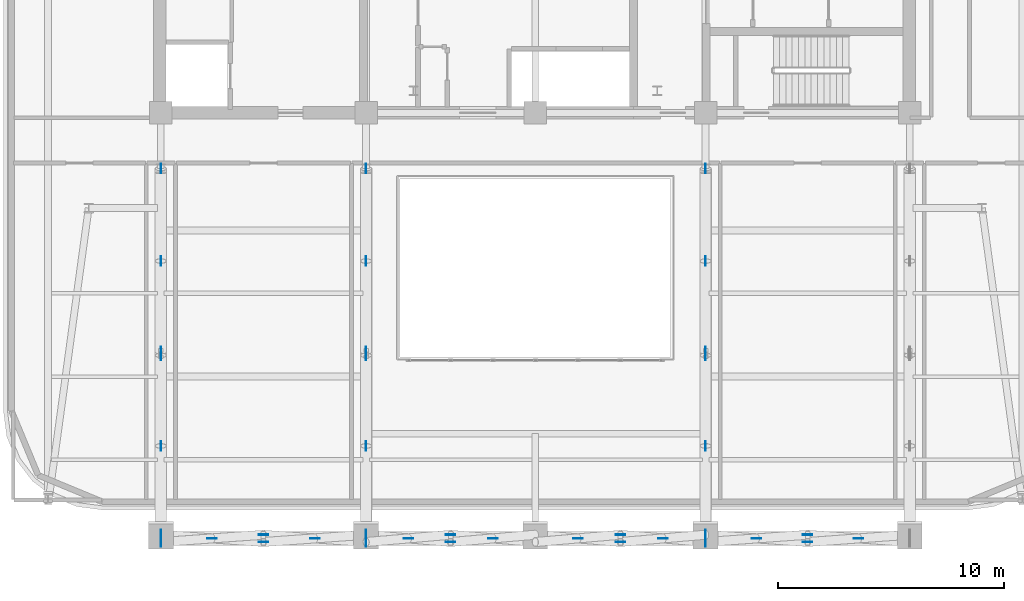
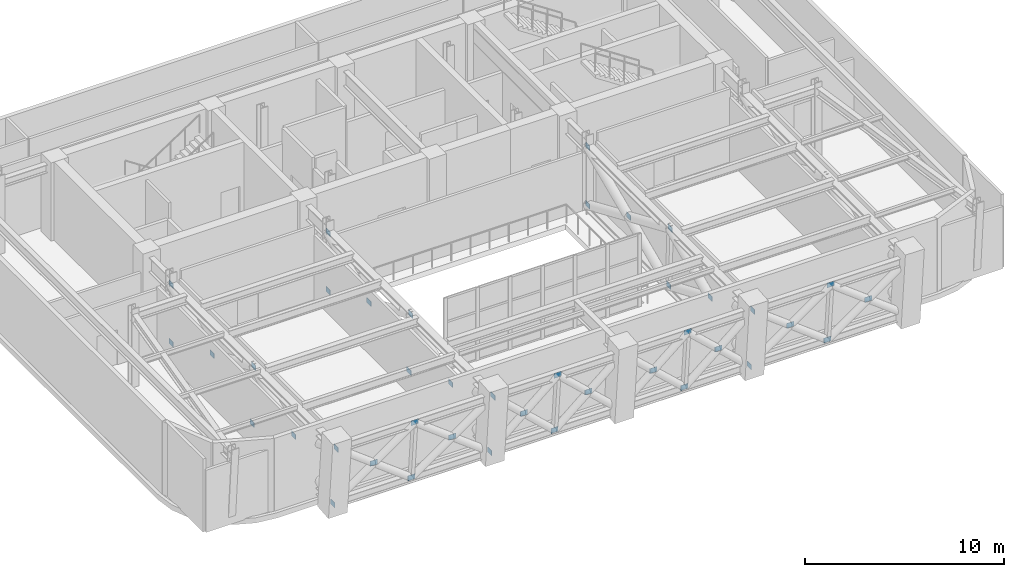
# One storey, part 5 of 12: 40 plates.
"""IFC4 building model written with IfcOpenShell, lengths in metres."""

from ifc_helpers import new_model, si_unit, direction, frame, origin, origin_2d, place, context, subcontext, project, spatial, rectangle, extrude, material, layer, layer_set, type_object, element, save


model = new_model("IFC4")

# Units and contexts
model_context = context("Model", 3, precision=1e-05, world=origin(), true_north=direction((0.0, 1.0)))
body_context = subcontext(model_context, "Body", "Model", "MODEL_VIEW")
ifc_project = project(units=[si_unit("LENGTHUNIT", "METRE"), si_unit("AREAUNIT", "SQUARE_METRE"), si_unit("VOLUMEUNIT", "CUBIC_METRE"), si_unit("PLANEANGLEUNIT", "RADIAN"), si_unit("MASSUNIT", "GRAM", prefix="KILO")], contexts=[model_context])

# Site, building, storey
site_placement = place(None, origin())
site = spatial("IfcSite", under=ifc_project, at=site_placement, CompositionType="ELEMENT")
building_placement = place(site_placement, origin())
building = spatial("IfcBuilding", under=site, at=building_placement, Name="Zarnavel Station Tower", CompositionType="ELEMENT")
storey_placement = place(building_placement, frame((0.0, 0.0, 188.39990234375)))
storey = spatial("IfcBuildingStorey", under=building, at=storey_placement, Name="L51", CompositionType="ELEMENT", Elevation=188.39990234375)

# Plates
ifc_material = material(Name="Steel S460M", Category="steel")
ifc_layer = layer(ifc_material, 0.02490234375)
ifc_layer_set = layer_set([ifc_layer], Name="GP_GUSSET_25")
plate_type = type_object("IfcPlateType", Name="GP_GUSSET_25", PredefinedType="USERDEFINED", material=ifc_layer_set)
for number, where, z_axis, x_axis, name in (
    (1, (12.199951171875, 9.118896484375, 0.25), (0.0, 0.0, 1.0), (1.0, 0.0, 0.0), "L51 Outrigger Gusset Plate 1-1"),
    (2, (12.199951171875, 8.79443359375, 3.830078125), (0.0, 0.0, 1.0), (1.0, 0.0, 0.0), "L51 Outrigger Gusset Plate 1-2"),
    (3, (12.199951171875, 17.234619140625, 0.25), (0.0, 0.0, 1.0), (1.0, 0.0, 0.0), "L51 Outrigger Gusset Plate 1-3"),
    (4, (12.199951171875, 17.072265625, 3.830078125), (0.0, 0.0, 1.0), (1.0, 0.0, 0.0), "L51 Outrigger Gusset Plate 1-4"),
    (5, (12.199951171875, 25.35009765625, 0.25), (0.0, 0.0, 1.0), (1.0, 0.0, 0.0), "L51 Outrigger Gusset Plate 1-5"),
    (6, (12.199951171875, 25.35009765625, 3.830078125), (0.0, 0.0, 1.0), (1.0, 0.0, 0.0), "L51 Outrigger Gusset Plate 1-6"),
    (7, (12.199951171875, 21.251708984375, 2.0400390625), (0.0, 0.0, 1.0), (1.0, 0.0, 0.0), "L51 Outrigger Gusset Plate 1-7"),
    (8, (12.199951171875, 13.054931640625, 2.0400390625), (0.0, 0.0, 1.0), (1.0, 0.0, 0.0), "L51 Outrigger Gusset Plate 1-8"),
    (9, (21.300048828125, 9.118896484375, 0.25), (0.0, 0.0, 1.0), (1.0, 0.0, 0.0), "L51 Outrigger Gusset Plate 2-1"),
    (10, (21.300048828125, 8.79443359375, 3.830078125), (0.0, 0.0, 1.0), (1.0, 0.0, 0.0), "L51 Outrigger Gusset Plate 2-2"),
    (11, (21.300048828125, 17.234619140625, 0.25), (0.0, 0.0, 1.0), (1.0, 0.0, 0.0), "L51 Outrigger Gusset Plate 2-3"),
    (12, (21.300048828125, 17.072265625, 3.830078125), (0.0, 0.0, 1.0), (1.0, 0.0, 0.0), "L51 Outrigger Gusset Plate 2-4"),
    (13, (21.300048828125, 25.35009765625, 0.25), (0.0, 0.0, 1.0), (1.0, 0.0, 0.0), "L51 Outrigger Gusset Plate 2-5"),
    (14, (21.300048828125, 25.35009765625, 3.830078125), (0.0, 0.0, 1.0), (1.0, 0.0, 0.0), "L51 Outrigger Gusset Plate 2-6"),
    (15, (21.300048828125, 21.251708984375, 2.0400390625), (0.0, 0.0, 1.0), (1.0, 0.0, 0.0), "L51 Outrigger Gusset Plate 2-7"),
    (16, (21.300048828125, 13.054931640625, 2.0400390625), (0.0, 0.0, 1.0), (1.0, 0.0, 0.0), "L51 Outrigger Gusset Plate 2-8"),
    (17, (36.35009765625, 9.118896484375, 0.25), (0.0, 0.0, 1.0), (1.0, 0.0, 0.0), "L51 Outrigger Gusset Plate 3-1"),
    (18, (36.35009765625, 8.79443359375, 3.830078125), (0.0, 0.0, 1.0), (1.0, 0.0, 0.0), "L51 Outrigger Gusset Plate 3-2"),
    (19, (36.35009765625, 17.234619140625, 0.25), (0.0, 0.0, 1.0), (1.0, 0.0, 0.0), "L51 Outrigger Gusset Plate 3-3"),
    (20, (36.35009765625, 17.072265625, 3.830078125), (0.0, 0.0, 1.0), (1.0, 0.0, 0.0), "L51 Outrigger Gusset Plate 3-4"),
    (21, (36.35009765625, 25.35009765625, 0.25), (0.0, 0.0, 1.0), (1.0, 0.0, 0.0), "L51 Outrigger Gusset Plate 3-5"),
    (22, (36.35009765625, 25.35009765625, 3.830078125), (0.0, 0.0, 1.0), (1.0, 0.0, 0.0), "L51 Outrigger Gusset Plate 3-6"),
    (23, (36.35009765625, 21.251708984375, 2.0400390625), (0.0, 0.0, 1.0), (1.0, 0.0, 0.0), "L51 Outrigger Gusset Plate 3-7"),
    (24, (36.35009765625, 13.054931640625, 2.0400390625), (0.0, 0.0, 1.0), (1.0, 0.0, 0.0), "L51 Outrigger Gusset Plate 3-8"),
):
    element("IfcPlate", number, at=place(storey_placement, frame(where, z_axis=z_axis, x_axis=x_axis)), inside=storey, type_object=plate_type, Name=name, ObjectType="GUSSET_PLATE", PredefinedType="USERDEFINED", context=body_context, shape_type="SweptSolid", body=[
        extrude(rectangle(XDim=0.02490234375, YDim=0.419921875, at=origin_2d()), origin(), (0.0, 0.0, 1.0), 0.300048828125),
    ])
for number, where, z_axis, x_axis, name in (
    (25, (16.75, 9.118896484375, 0.25), (0.0, 0.0, 1.0), (1.0, 0.0, 0.0), "L51 Belt Truss Gusset Plate 1-1"),
    (26, (16.75, 8.79443359375, 3.830078125), (0.0, 0.0, 1.0), (1.0, 0.0, 0.0), "L51 Belt Truss Gusset Plate 1-2"),
    (27, (14.47509765625, 8.956787109375, 2.0400390625), (0.0, 0.0, 1.0), (1.0, 0.0, 0.0), "L51 Belt Truss Gusset Plate 1-3"),
    (28, (19.02490234375, 8.956787109375, 2.0400390625), (0.0, 0.0, 1.0), (1.0, 0.0, 0.0), "L51 Belt Truss Gusset Plate 1-4"),
    (29, (25.050048828125, 9.118896484375, 0.25), (0.0, 0.0, 1.0), (1.0, 0.0, 0.0), "L51 Belt Truss Gusset Plate 2-1"),
    (30, (25.050048828125, 8.79443359375, 3.830078125), (0.0, 0.0, 1.0), (1.0, 0.0, 0.0), "L51 Belt Truss Gusset Plate 2-2"),
    (31, (23.175048828125, 8.956787109375, 2.0400390625), (0.0, 0.0, 1.0), (1.0, 0.0, 0.0), "L51 Belt Truss Gusset Plate 2-3"),
    (32, (26.925048828125, 8.956787109375, 2.0400390625), (0.0, 0.0, 1.0), (1.0, 0.0, 0.0), "L51 Belt Truss Gusset Plate 2-4"),
    (33, (32.574951171875, 9.118896484375, 0.25), (0.0, 0.0, 1.0), (1.0, 0.0, 0.0), "L51 Belt Truss Gusset Plate 3-1"),
    (34, (32.574951171875, 8.79443359375, 3.830078125), (0.0, 0.0, 1.0), (1.0, 0.0, 0.0), "L51 Belt Truss Gusset Plate 3-2"),
    (35, (30.6875, 8.956787109375, 2.0400390625), (0.0, 0.0, 1.0), (1.0, 0.0, 0.0), "L51 Belt Truss Gusset Plate 3-3"),
    (36, (34.46240234375, 8.956787109375, 2.0400390625), (0.0, 0.0, 1.0), (1.0, 0.0, 0.0), "L51 Belt Truss Gusset Plate 3-4"),
    (37, (40.875, 9.118896484375, 0.25), (0.0, 0.0, 1.0), (1.0, 0.0, 0.0), "L51 Belt Truss Gusset Plate 4-1"),
    (38, (40.875, 8.79443359375, 3.830078125), (0.0, 0.0, 1.0), (1.0, 0.0, 0.0), "L51 Belt Truss Gusset Plate 4-2"),
    (39, (38.612548828125, 8.956787109375, 2.0400390625), (0.0, 0.0, 1.0), (1.0, 0.0, 0.0), "L51 Belt Truss Gusset Plate 4-3"),
    (40, (43.137451171875, 8.956787109375, 2.0400390625), (0.0, 0.0, 1.0), (1.0, 0.0, 0.0), "L51 Belt Truss Gusset Plate 4-4"),
):
    element("IfcPlate", number, at=place(storey_placement, frame(where, z_axis=z_axis, x_axis=x_axis)), inside=storey, type_object=plate_type, Name=name, ObjectType="GUSSET_PLATE", PredefinedType="USERDEFINED", context=body_context, shape_type="SweptSolid", body=[
        extrude(rectangle(XDim=0.419921875, YDim=0.02490234375, at=origin_2d()), origin(), (0.0, 0.0, 1.0), 0.300048828125),
    ])

save(model, "model.ifc")
